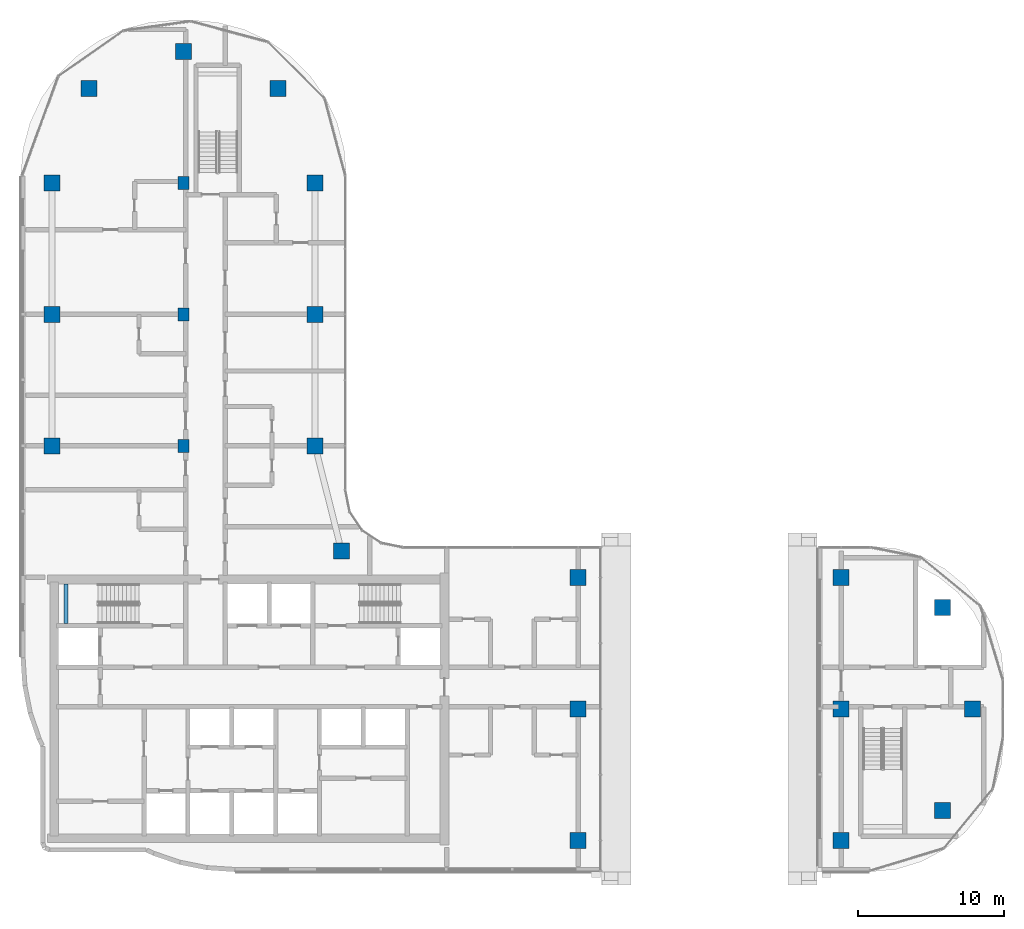
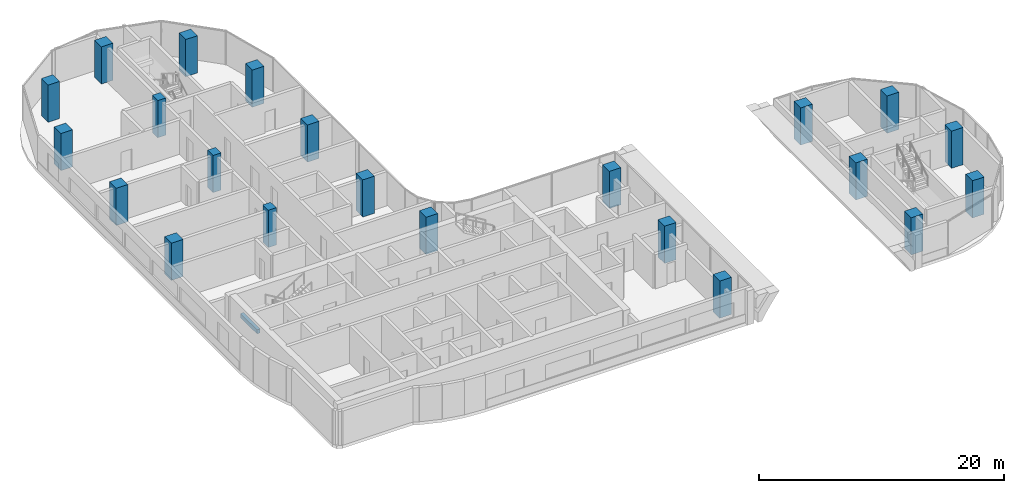
# One storey, part 1 of 23: 22 columns, 1 beam.
"""IFC4 building model written with IfcOpenShell, lengths in metres."""

from ifc_helpers import new_model, si_unit, direction, frame, origin, origin_2d, place, context, subcontext, project, spatial, rectangle, extrude, material, material_profile, profile_set, type_object, element, save


model = new_model("IFC4")

# Units and contexts
model_context = context("Model", 3, precision=1e-05, world=origin(), true_north=direction((0.0, 1.0)))
body_context = subcontext(model_context, "Body", "Model", "MODEL_VIEW")
ifc_project = project(units=[si_unit("LENGTHUNIT", "METRE"), si_unit("AREAUNIT", "SQUARE_METRE"), si_unit("VOLUMEUNIT", "CUBIC_METRE"), si_unit("PLANEANGLEUNIT", "RADIAN"), si_unit("MASSUNIT", "GRAM", prefix="KILO")], contexts=[model_context])

# Site, building, storey
site_placement = place(None, origin())
site = spatial("IfcSite", under=ifc_project, at=site_placement, CompositionType="ELEMENT")
building_placement = place(site_placement, origin())
building = spatial("IfcBuilding", under=site, at=building_placement, Name="Ogive Portal Towers", CompositionType="ELEMENT")
storey_placement = place(building_placement, frame((0.0, 0.0, 175.5)))
storey = spatial("IfcBuildingStorey", under=building, at=storey_placement, Name="L43", CompositionType="ELEMENT", Elevation=175.5)

# Columns
ifc_material_1 = material(Name="Concrete C60/75", Category="concrete")
ifc_material_profile_1 = material_profile(ifc_material_1, rectangle(XDim=1.10009765625, YDim=1.10009765625, at=origin_2d()), Name="RC 1100x1100")
ifc_profile_set_1 = profile_set([ifc_material_profile_1], Name="Concrete C60/75")
column_type_1 = type_object("IfcColumnType", Name="COLUMN RC 1100x1100", PredefinedType="COLUMN", material=ifc_profile_set_1)
for number, where, z_axis, x_axis, name in (
    (1, (67.5, 21.5, 0.0), (0.0, 0.0, 1.0), (1.0, 0.0, 0.0), "Column 5/A L43"),
    (2, (85.5, 21.5, 0.0), (0.0, 0.0, 1.0), (1.0, 0.0, 0.0), "Column 7/A L43"),
    (3, (92.449951171875, 23.550048828125, 0.0), (0.0, 0.0, 1.0), (1.0, 0.0, 0.0), "Column L43"),
    (4, (67.5, 30.5, 0.0), (0.0, 0.0, 1.0), (1.0, 0.0, 0.0), "Column 5/B L43"),
    (5, (85.5, 30.5, 0.0), (0.0, 0.0, 1.0), (1.0, 0.0, 0.0), "Column 7/B L43"),
    (6, (94.5, 30.5, 0.0), (0.0, 0.0, 1.0), (1.0, 0.0, 0.0), "Column 8/B L43"),
    (7, (92.449951171875, 37.449951171875, 0.0), (0.0, 0.0, 1.0), (1.0, 0.0, 0.0), "Column L43"),
    (8, (67.5, 39.5, 0.0), (0.0, 0.0, 1.0), (1.0, 0.0, 0.0), "Column 5/C L43"),
    (9, (85.5, 39.5, 0.0), (0.0, 0.0, 1.0), (1.0, 0.0, 0.0), "Column 7/C L43"),
    (10, (51.31005859375, 41.31005859375, 0.0), (0.0, 0.0, 1.0), (1.0, 0.0, 0.0), "Column L43"),
    (11, (31.5, 48.5, 0.0), (0.0, 0.0, 1.0), (1.0, 0.0, 0.0), "Column 1/D L43"),
    (12, (49.5, 48.5, 0.0), (0.0, 0.0, 1.0), (1.0, 0.0, 0.0), "Column 3/D L43"),
    (13, (31.5, 57.5, 0.0), (0.0, 0.0, 1.0), (1.0, 0.0, 0.0), "Column 1/E L43"),
    (14, (49.5, 57.5, 0.0), (0.0, 0.0, 1.0), (1.0, 0.0, 0.0), "Column 3/E L43"),
    (15, (31.5, 66.5, 0.0), (0.0, 0.0, 1.0), (1.0, 0.0, 0.0), "Column 1/F L43"),
    (16, (49.5, 66.5, 0.0), (0.0, 0.0, 1.0), (1.0, 0.0, 0.0), "Column 3/F L43"),
    (17, (34.027099609375, 72.972900390625, 0.0), (0.0, 0.0, 1.0), (1.0, 0.0, 0.0), "Column L43"),
    (18, (46.972900390625, 72.972900390625, 0.0), (0.0, 0.0, 1.0), (1.0, 0.0, 0.0), "Column L43"),
    (19, (40.5, 75.5, 0.0), (0.0, 0.0, 1.0), (1.0, 0.0, 0.0), "Column 2/G L43"),
):
    element("IfcColumn", number, at=place(storey_placement, frame(where, z_axis=z_axis, x_axis=x_axis)), inside=storey, type_object=column_type_1, Name=name, PredefinedType="COLUMN", context=body_context, shape_type="SweptSolid", body=[
        extrude(rectangle(XDim=1.10009765625, YDim=1.10009765625, at=origin_2d()), origin(), (0.0, 0.0, 1.0), 3.699951171875),
    ])
ifc_material_profile_2 = material_profile(ifc_material_1, rectangle(XDim=0.89990234375, YDim=0.75, at=origin_2d()), Name="RC 900x750")
ifc_profile_set_2 = profile_set([ifc_material_profile_2], Name="Concrete C60/75")
column_type_2 = type_object("IfcColumnType", Name="COLUMN RC 900x750", PredefinedType="COLUMN", material=ifc_profile_set_2)
for number, where, z_axis, x_axis, name in (
    (20, (40.5, 48.5, 0.0), (0.0, 0.0, 1.0), (0.0, 1.0, 0.0), "Column 2/D L43"),
    (21, (40.5, 57.5, 0.0), (0.0, 0.0, 1.0), (0.0, 1.0, 0.0), "Column 2/E L43"),
    (22, (40.5, 66.5, 0.0), (0.0, 0.0, 1.0), (0.0, 1.0, 0.0), "Column 2/F L43"),
):
    element("IfcColumn", number, at=place(storey_placement, frame(where, z_axis=z_axis, x_axis=x_axis)), inside=storey, type_object=column_type_2, Name=name, PredefinedType="COLUMN", context=body_context, shape_type="SweptSolid", body=[
        extrude(rectangle(XDim=0.89990234375, YDim=0.75, at=origin_2d()), origin(), (0.0, 0.0, 1.0), 3.699951171875),
    ])

# Beam
ifc_material_2 = material(Name="Concrete C40/50", Category="concrete")
ifc_material_profile_3 = material_profile(ifc_material_2, rectangle(XDim=0.300048828125, YDim=0.39990234375, at=origin_2d()), Name="RC 300x400")
ifc_profile_set_3 = profile_set([ifc_material_profile_3], Name="Concrete C40/50")
beam_type = type_object("IfcBeamType", Name="BEAM RC 300x400", PredefinedType="BEAM", material=ifc_profile_set_3)
beam_placement = place(storey_placement, frame((32.449951171875, 36.35009765625, 1.449951171875), z_axis=(0.0, 1.0, 0.0), x_axis=(-1.0, 0.0, 0.0)))
element("IfcBeam", 23, at=beam_placement, inside=storey, type_object=beam_type, Name="Landing beam L43", PredefinedType="BEAM", context=body_context, shape_type="SweptSolid", body=[
    extrude(rectangle(XDim=0.300048828125, YDim=0.39990234375, at=origin_2d()), origin(), (0.0, 0.0, 1.0), 2.699951171875),
])

save(model, "model.ifc")
